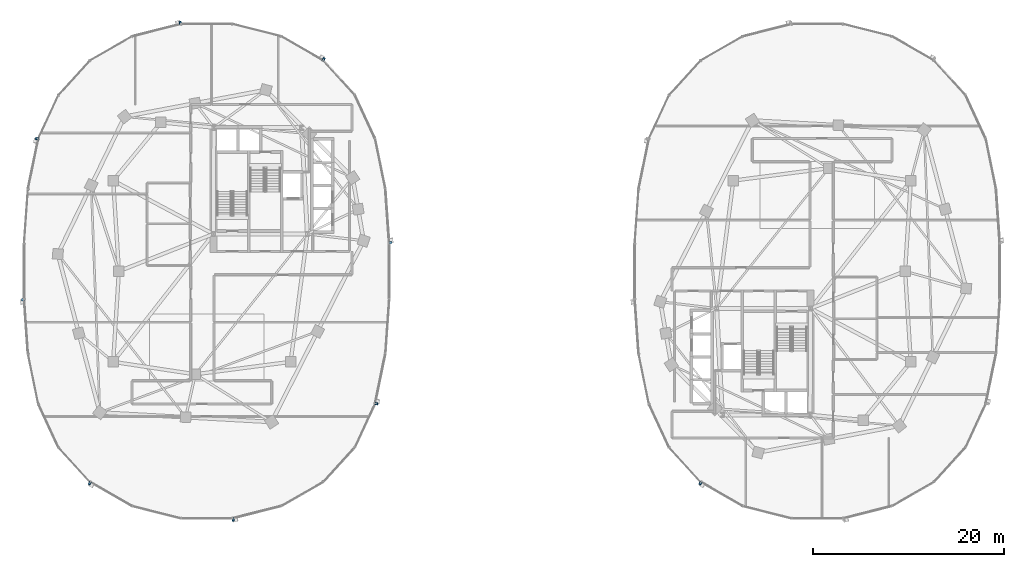
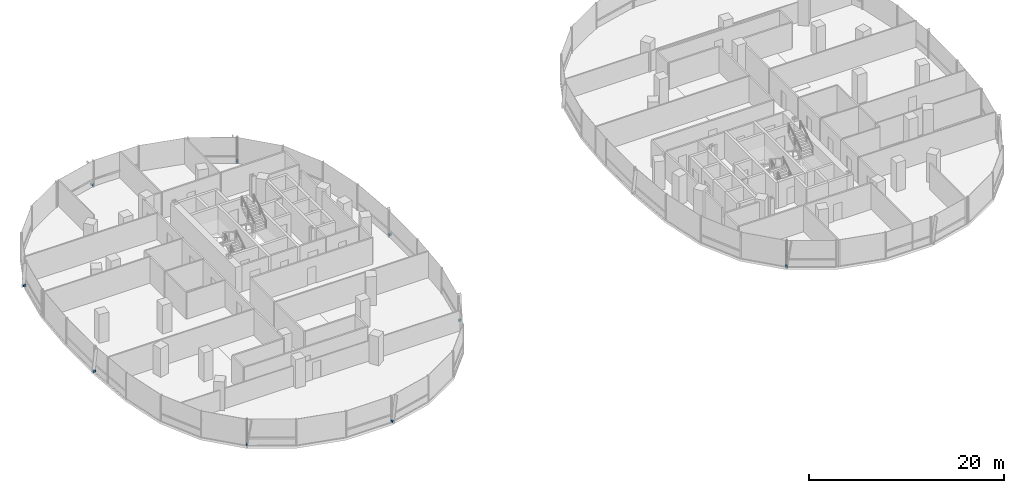
# One storey, part 15 of 21: 9 discrete accessories.
"""IFC4 building model written with IfcOpenShell, lengths in metres."""

from ifc_helpers import new_model, si_unit, direction, frame, origin, origin_2d, place, context, subcontext, project, spatial, rectangle, extrude, material, type_object, element, save


model = new_model("IFC4")

# Units and contexts
model_context = context("Model", 3, precision=1e-05, world=origin(), true_north=direction((0.0, 1.0)))
body_context = subcontext(model_context, "Body", "Model", "MODEL_VIEW")
ifc_project = project(units=[si_unit("LENGTHUNIT", "METRE"), si_unit("AREAUNIT", "SQUARE_METRE"), si_unit("VOLUMEUNIT", "CUBIC_METRE"), si_unit("PLANEANGLEUNIT", "RADIAN"), si_unit("MASSUNIT", "GRAM", prefix="KILO"), si_unit("THERMODYNAMICTEMPERATUREUNIT", "KELVIN"), si_unit("POWERUNIT", "WATT")], contexts=[model_context])

# Site, building, storey
site_placement = place(None, origin())
site = spatial("IfcSite", under=ifc_project, at=site_placement, CompositionType="ELEMENT")
building_placement = place(site_placement, origin())
building = spatial("IfcBuilding", under=site, at=building_placement, Name="Cundina Bronze Exchange", CompositionType="ELEMENT")
storey_placement = place(building_placement, frame((0.0, 0.0, 114.199951171875)))
storey = spatial("IfcBuildingStorey", under=building, at=storey_placement, Name="L29", CompositionType="ELEMENT", Elevation=114.199951171875)

# Discrete accessories
ifc_material = material(Name="Anodised Bronze Aluminium 6063-T6", Category="aluminium")
discrete_accessory_type = type_object("IfcDiscreteAccessoryType", Name="ACC-BRK-FIN", PredefinedType="BRACKET", material=ifc_material)
for number, where, z_axis, x_axis, name in (
    (1, (-12.735595703125, 2.986083984375, 0.10009765625), (0.0, 0.0, 1.0), (-0.070278787473, 0.997527389113, 0.0), "L29 Fin Support Bracket 1"),
    (2, (-19.740478515625, 22.21875, 0.10009765625), (0.0, 0.0, 1.0), (-0.867105478933, 0.498124571171, 0.0), "L29 Fin Support Bracket 5"),
    (3, (-34.76025390625, 26.03173828125, 0.10009765625), (0.0, 0.0, 1.0), (-0.969488149345, -0.245138182011, 0.0), "L29 Fin Support Bracket 1"),
    (4, (-49.788330078125, 13.8896484375, 0.10009765625), (0.0, 0.0, 1.0), (-0.201419845156, -0.979505000486, 0.0), "L29 Fin Support Bracket 5"),
    (5, (-51.264404296875, -2.986083984375, 0.10009765625), (0.0, 0.0, 1.0), (0.070278787473, -0.997527389113, 0.0), "L29 Fin Support Bracket 1"),
    (6, (-44.259521484375, -22.21875, 0.10009765625), (0.0, 0.0, 1.0), (0.867105478933, -0.498124571171, 0.0), "L29 Fin Support Bracket 5"),
    (7, (-29.23974609375, -26.03173828125, 0.10009765625), (0.0, 0.0, 1.0), (0.969488149345, 0.245138182011, 0.0), "L29 Fin Support Bracket 1"),
    (8, (-14.211669921875, -13.8896484375, 0.10009765625), (0.0, 0.0, 1.0), (0.201419845156, 0.979505000486, 0.0), "L29 Fin Support Bracket 5"),
    (9, (19.740478515625, -22.21875, 0.10009765625), (0.0, 0.0, 1.0), (0.867105478933, -0.498124571171, 0.0), "L29 Fin Support Bracket 5"),
):
    element("IfcDiscreteAccessory", number, at=place(storey_placement, frame(where, z_axis=z_axis, x_axis=x_axis)), inside=storey, type_object=discrete_accessory_type, Name=name, PredefinedType="BRACKET", context=body_context, shape_type="SweptSolid", body=[
        extrude(rectangle(XDim=0.219970703125, YDim=0.320068359375, at=origin_2d()), origin(), (0.0, 0.0, 1.0), 0.239990234375),
    ])

save(model, "model.ifc")
